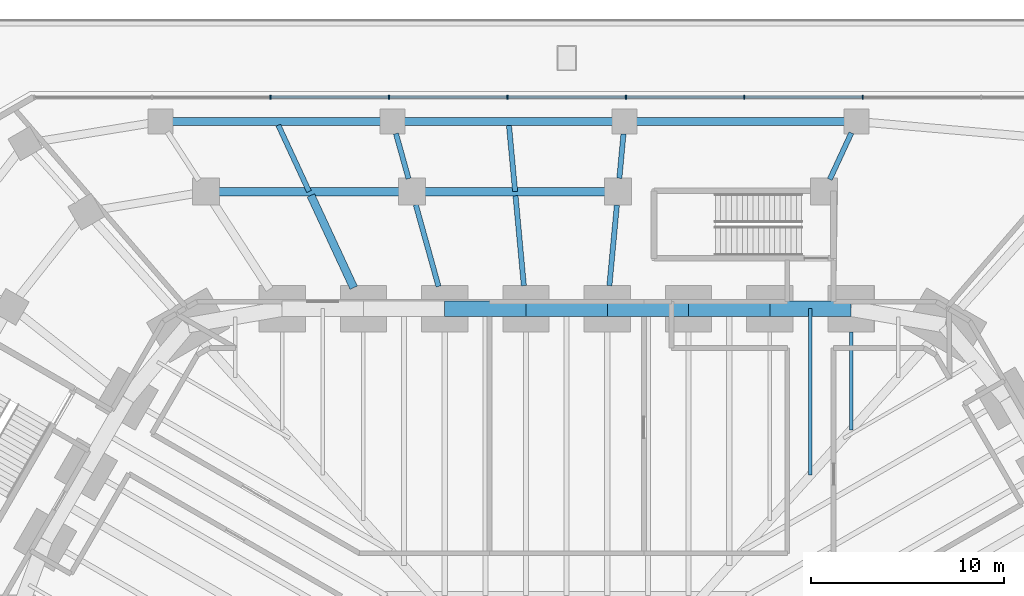
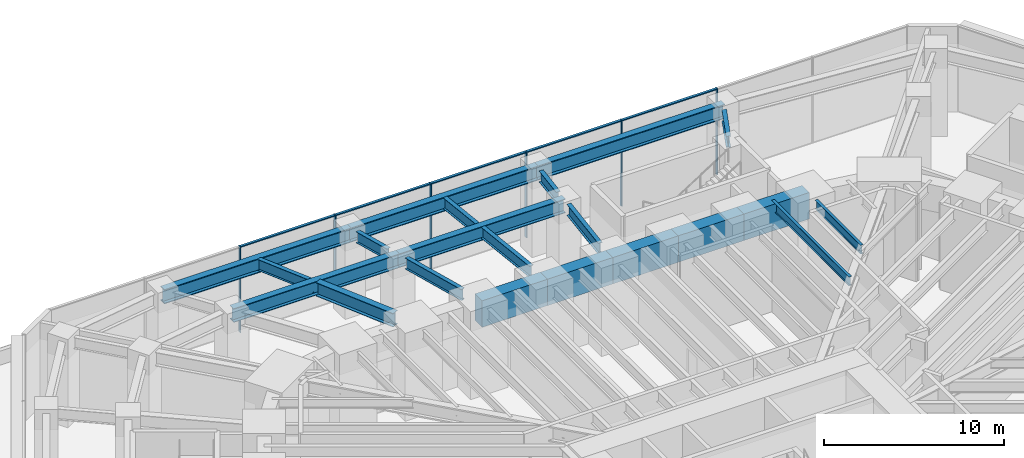
# One storey, part 11 of 25: 21 beams, 11 members, 1 element without a shape of its own.
"""IFC4 building model written with IfcOpenShell, lengths in metres."""

from ifc_helpers import new_model, si_unit, direction, frame, origin, origin_2d, place, context, subcontext, project, spatial, rectangle, i_section, extrude, material, material_profile, profile_set, type_object, element, aggregate, save


model = new_model("IFC4")

# Units and contexts
model_context = context("Model", 3, precision=1e-05, world=origin(), true_north=direction((0.0, 1.0)))
body_context = subcontext(model_context, "Body", "Model", "MODEL_VIEW")
ifc_project = project(units=[si_unit("LENGTHUNIT", "METRE"), si_unit("AREAUNIT", "SQUARE_METRE"), si_unit("VOLUMEUNIT", "CUBIC_METRE"), si_unit("PLANEANGLEUNIT", "RADIAN"), si_unit("MASSUNIT", "GRAM", prefix="KILO")], contexts=[model_context])

# Site, building, storey
site_placement = place(None, origin())
site = spatial("IfcSite", under=ifc_project, at=site_placement, CompositionType="ELEMENT")
building_placement = place(site_placement, origin())
building = spatial("IfcBuilding", under=site, at=building_placement, Name="Sandreach Pilgrim Tower", CompositionType="ELEMENT")
storey_placement = place(building_placement, frame((0.0, 0.0, 6.0)))
storey = spatial("IfcBuildingStorey", under=building, at=storey_placement, Name="L01", CompositionType="ELEMENT", Elevation=6.0)

# Curtain wall, members
ifc_material_1 = material(Name="Aluminium framed curtain wall", Category="aluminium")
curtain_wall_type = type_object("IfcCurtainWallType", Name="Podium storefront curtain wall", PredefinedType="NOTDEFINED", material=ifc_material_1)
curtain_wall_placement = place(storey_placement, origin())
curtain_wall = element("IfcCurtainWall", 1, at=curtain_wall_placement, inside=storey, type_object=curtain_wall_type, Name="CW-P L01 N", PredefinedType="NOTDEFINED")
ifc_material_2 = material(Name="Aluminium extrusion", Category="aluminium")
ifc_material_profile_1 = material_profile(ifc_material_2, rectangle(XDim=0.070068359375, YDim=0.199951171875, at=origin_2d()), Name="CW-PM 70X200")
ifc_profile_set_1 = profile_set([ifc_material_profile_1], Name="Aluminium extrusion")
member_type_1 = type_object("IfcMemberType", Name="CW-P mullion", PredefinedType="MULLION", material=ifc_profile_set_1)
member_1_placement = place(storey_placement, frame((-15.339111328125, 33.648193359375, 0.0), z_axis=(0.0, 0.0, 1.0), x_axis=(1.0, 0.0, 0.0)))
member_1 = element("IfcMember", 2, at=member_1_placement, type_object=member_type_1, Name="CW-P mullion 3", PredefinedType="MULLION", context=body_context, shape_type="SweptSolid", body=[
    extrude(rectangle(XDim=0.070068359375, YDim=0.199951171875, at=origin_2d()), origin(), (0.0, 0.0, 1.0), 5.840087890625),
])
member_2_placement = place(storey_placement, frame((-9.203369140625, 33.648193359375, 0.0), z_axis=(0.0, 0.0, 1.0), x_axis=(1.0, 0.0, 0.0)))
member_2 = element("IfcMember", 3, at=member_2_placement, type_object=member_type_1, Name="CW-P mullion 4", PredefinedType="MULLION", context=body_context, shape_type="SweptSolid", body=[
    extrude(rectangle(XDim=0.070068359375, YDim=0.199951171875, at=origin_2d()), origin(), (0.0, 0.0, 1.0), 5.840087890625),
])
member_3_placement = place(storey_placement, frame((-3.06787109375, 33.648193359375, 0.0), z_axis=(0.0, 0.0, 1.0), x_axis=(1.0, 0.0, 0.0)))
member_3 = element("IfcMember", 4, at=member_3_placement, type_object=member_type_1, Name="CW-P mullion 5", PredefinedType="MULLION", context=body_context, shape_type="SweptSolid", body=[
    extrude(rectangle(XDim=0.070068359375, YDim=0.199951171875, at=origin_2d()), origin(), (0.0, 0.0, 1.0), 5.840087890625),
])
member_4_placement = place(storey_placement, frame((3.06787109375, 33.648193359375, 0.0), z_axis=(0.0, 0.0, 1.0), x_axis=(1.0, 0.0, 0.0)))
member_4 = element("IfcMember", 5, at=member_4_placement, type_object=member_type_1, Name="CW-P mullion 6", PredefinedType="MULLION", context=body_context, shape_type="SweptSolid", body=[
    extrude(rectangle(XDim=0.070068359375, YDim=0.199951171875, at=origin_2d()), origin(), (0.0, 0.0, 1.0), 5.840087890625),
])
member_5_placement = place(storey_placement, frame((9.203369140625, 33.648193359375, 0.0), z_axis=(0.0, 0.0, 1.0), x_axis=(1.0, 0.0, 0.0)))
member_5 = element("IfcMember", 6, at=member_5_placement, type_object=member_type_1, Name="CW-P mullion 7", PredefinedType="MULLION", context=body_context, shape_type="SweptSolid", body=[
    extrude(rectangle(XDim=0.070068359375, YDim=0.199951171875, at=origin_2d()), origin(), (0.0, 0.0, 1.0), 5.840087890625),
])
member_6_placement = place(storey_placement, frame((15.339111328125, 33.648193359375, 0.0), z_axis=(0.0, 0.0, 1.0), x_axis=(1.0, 0.0, 0.0)))
member_6 = element("IfcMember", 7, at=member_6_placement, type_object=member_type_1, Name="CW-P mullion 8", PredefinedType="MULLION", context=body_context, shape_type="SweptSolid", body=[
    extrude(rectangle(XDim=0.070068359375, YDim=0.199951171875, at=origin_2d()), origin(), (0.0, 0.0, 1.0), 5.840087890625),
])
ifc_material_3 = material(Name="Aluminium extrusion", Category="aluminium")
ifc_material_profile_2 = material_profile(ifc_material_3, rectangle(XDim=0.159912109375, YDim=0.070068359375, at=origin_2d()), Name="CW-PT 160X70")
ifc_profile_set_2 = profile_set([ifc_material_profile_2], Name="Aluminium extrusion")
member_type_2 = type_object("IfcMemberType", Name="CW-P transom", PredefinedType="USERDEFINED", material=ifc_profile_set_2)
member_7_placement = place(storey_placement, frame((-15.303955078125, 33.648193359375, 5.804931640625), z_axis=(1.0, 0.0, 0.0), x_axis=(0.0, 1.0, 0.0)))
member_7 = element("IfcMember", 8, at=member_7_placement, type_object=member_type_2, Name="CW-P head transom 3", ObjectType="TRANSOM", PredefinedType="USERDEFINED", context=body_context, shape_type="SweptSolid", body=[
    extrude(rectangle(XDim=0.159912109375, YDim=0.070068359375, at=origin_2d()), origin(), (0.0, 0.0, 1.0), 6.0654296875),
])
member_8_placement = place(storey_placement, frame((-9.16845703125, 33.648193359375, 5.804931640625), z_axis=(1.0, 0.0, 0.0), x_axis=(0.0, 1.0, 0.0)))
member_8 = element("IfcMember", 9, at=member_8_placement, type_object=member_type_2, Name="CW-P head transom 4", ObjectType="TRANSOM", PredefinedType="USERDEFINED", context=body_context, shape_type="SweptSolid", body=[
    extrude(rectangle(XDim=0.159912109375, YDim=0.070068359375, at=origin_2d()), origin(), (0.0, 0.0, 1.0), 6.065673828125),
])
member_9_placement = place(storey_placement, frame((-3.03271484375, 33.648193359375, 5.804931640625), z_axis=(1.0, 0.0, 0.0), x_axis=(0.0, 1.0, 0.0)))
member_9 = element("IfcMember", 10, at=member_9_placement, type_object=member_type_2, Name="CW-P head transom 5", ObjectType="TRANSOM", PredefinedType="USERDEFINED", context=body_context, shape_type="SweptSolid", body=[
    extrude(rectangle(XDim=0.159912109375, YDim=0.070068359375, at=origin_2d()), origin(), (0.0, 0.0, 1.0), 6.0654296875),
])
member_10_placement = place(storey_placement, frame((3.102783203125, 33.648193359375, 5.804931640625), z_axis=(1.0, 0.0, 0.0), x_axis=(0.0, 1.0, 0.0)))
member_10 = element("IfcMember", 11, at=member_10_placement, type_object=member_type_2, Name="CW-P head transom 6", ObjectType="TRANSOM", PredefinedType="USERDEFINED", context=body_context, shape_type="SweptSolid", body=[
    extrude(rectangle(XDim=0.159912109375, YDim=0.070068359375, at=origin_2d()), origin(), (0.0, 0.0, 1.0), 6.065673828125),
])
member_11_placement = place(storey_placement, frame((9.238525390625, 33.648193359375, 5.804931640625), z_axis=(1.0, 0.0, 0.0), x_axis=(0.0, 1.0, 0.0)))
member_11 = element("IfcMember", 12, at=member_11_placement, type_object=member_type_2, Name="CW-P head transom 7", ObjectType="TRANSOM", PredefinedType="USERDEFINED", context=body_context, shape_type="SweptSolid", body=[
    extrude(rectangle(XDim=0.159912109375, YDim=0.070068359375, at=origin_2d()), origin(), (0.0, 0.0, 1.0), 6.0654296875),
])
aggregate(curtain_wall, [member_1, member_2, member_3, member_4, member_5, member_6, member_7, member_8, member_9, member_10, member_11])

# Beams
ifc_material_4 = material(Name="Steel ASTM A992 Grade 50", Category="steel")
ifc_material_profile_3 = material_profile(ifc_material_4, i_section(OverallWidth=0.1787109375, OverallDepth=0.60205078125, WebThickness=0.010986328125, FlangeThickness=0.014892578125, at=origin_2d()), Name="W24X62")
ifc_profile_set_3 = profile_set([ifc_material_profile_3], Name="Steel ASTM A992 Grade 50")
beam_type_1 = type_object("IfcBeamType", Name="Floor beam W24X62", PredefinedType="BEAM", material=ifc_profile_set_3)
beam_1_placement = place(storey_placement, frame((14.734619140625, 21.48876953125, 5.5390625), z_axis=(0.0, -1.0, 0.0), x_axis=(1.0, 0.0, 0.0)))
element("IfcBeam", 13, at=beam_1_placement, inside=storey, type_object=beam_type_1, Name="BM L01 F08", PredefinedType="BEAM", context=body_context, shape_type="SweptSolid", body=[
    extrude(i_section(OverallWidth=0.1787109375, OverallDepth=0.60205078125, WebThickness=0.010986328125, FlangeThickness=0.014892578125, at=origin_2d()), origin(), (0.0, 0.0, 1.0), 5.079345703125),
])
beam_2_placement = place(storey_placement, frame((12.629638671875, 22.688720703125, 5.5390625), z_axis=(0.0, -1.0, 0.0), x_axis=(1.0, 0.0, 0.0)))
element("IfcBeam", 14, at=beam_2_placement, inside=storey, type_object=beam_type_1, Name="BM L01 FM07", PredefinedType="BEAM", context=body_context, shape_type="SweptSolid", body=[
    extrude(i_section(OverallWidth=0.1787109375, OverallDepth=0.60205078125, WebThickness=0.010986328125, FlangeThickness=0.014892578125, at=origin_2d()), origin(), (0.0, 0.0, 1.0), 8.62353515625),
])
ifc_material_5 = material(Name="Steel ASTM A992 Grade 50", Category="steel")
ifc_material_profile_4 = material_profile(ifc_material_5, i_section(OverallWidth=0.2666015625, OverallDepth=0.7568359375, WebThickness=0.013916015625, FlangeThickness=0.019287109375, at=origin_2d()), Name="W30X108")
ifc_profile_set_4 = profile_set([ifc_material_profile_4], Name="Steel ASTM A992 Grade 50")
beam_type_2 = type_object("IfcBeamType", Name="Podium beam W30X108", PredefinedType="BEAM", material=ifc_profile_set_4)
beam_3_placement = place(storey_placement, frame((-6.63671875, 23.8447265625, 5.46142578125), z_axis=(-0.268122559607, 0.963384810462, 0.0), x_axis=(-0.963384810462, -0.268122559607, 0.0)))
element("IfcBeam", 15, at=beam_3_placement, inside=storey, type_object=beam_type_2, Name="BM L01 PR125-03", PredefinedType="BEAM", context=body_context, shape_type="SweptSolid", body=[
    extrude(i_section(OverallWidth=0.2666015625, OverallDepth=0.7568359375, WebThickness=0.013916015625, FlangeThickness=0.019287109375, at=origin_2d()), origin(), (0.0, 0.0, 1.0), 4.392578125),
])
beam_4_placement = place(storey_placement, frame((-2.2158203125, 23.883544921875, 5.46142578125), z_axis=(-0.092357338774, 0.995725927138, 0.0), x_axis=(-0.995725927138, -0.092357338774, 0.0)))
element("IfcBeam", 16, at=beam_4_placement, inside=storey, type_object=beam_type_2, Name="BM L01 PR125-04", PredefinedType="BEAM", context=body_context, shape_type="SweptSolid", body=[
    extrude(i_section(OverallWidth=0.2666015625, OverallDepth=0.7568359375, WebThickness=0.013916015625, FlangeThickness=0.019287109375, at=origin_2d()), origin(), (0.0, 0.0, 1.0), 4.67626953125),
])
beam_5_placement = place(storey_placement, frame((2.2158203125, 23.883544921875, 5.46142578125), z_axis=(0.092390859708, 0.995722817376, 0.0), x_axis=(-0.995722817376, 0.092390859708, 0.0)))
element("IfcBeam", 17, at=beam_5_placement, inside=storey, type_object=beam_type_2, Name="BM L01 PR125-05", PredefinedType="BEAM", context=body_context, shape_type="SweptSolid", body=[
    extrude(i_section(OverallWidth=0.2666015625, OverallDepth=0.7568359375, WebThickness=0.013916015625, FlangeThickness=0.019287109375, at=origin_2d()), origin(), (0.0, 0.0, 1.0), 4.188232421875),
])
beam_6_placement = place(storey_placement, frame((-13.342041015625, 28.76171875, 5.37158203125), z_axis=(-0.42077576544, 0.907164679217, 0.0), x_axis=(-0.907164679217, -0.42077576544, 0.0)))
element("IfcBeam", 18, at=beam_6_placement, inside=storey, type_object=beam_type_2, Name="BM L01 PR140-02", PredefinedType="BEAM", context=body_context, shape_type="SweptSolid", body=[
    extrude(i_section(OverallWidth=0.2666015625, OverallDepth=0.7568359375, WebThickness=0.013916015625, FlangeThickness=0.019287109375, at=origin_2d()), origin(), (0.0, 0.0, 1.0), 3.7841796875),
])
beam_7_placement = place(storey_placement, frame((-8.18994140625, 29.42529296875, 5.37158203125), z_axis=(-0.268147395291, 0.963377898023, 0.0), x_axis=(-0.963377898023, -0.268147395291, 0.0)))
element("IfcBeam", 19, at=beam_7_placement, inside=storey, type_object=beam_type_2, Name="BM L01 PR140-03", PredefinedType="BEAM", context=body_context, shape_type="SweptSolid", body=[
    extrude(i_section(OverallWidth=0.2666015625, OverallDepth=0.7568359375, WebThickness=0.013916015625, FlangeThickness=0.019287109375, at=origin_2d()), origin(), (0.0, 0.0, 1.0), 2.425537109375),
])
beam_8_placement = place(storey_placement, frame((-2.66845703125, 28.762939453125, 5.37158203125), z_axis=(-0.09238523294, 0.995723339455, 0.0), x_axis=(-0.995723339455, -0.09238523294, 0.0)))
element("IfcBeam", 20, at=beam_8_placement, inside=storey, type_object=beam_type_2, Name="BM L01 PR140-04", PredefinedType="BEAM", context=body_context, shape_type="SweptSolid", body=[
    extrude(i_section(OverallWidth=0.2666015625, OverallDepth=0.7568359375, WebThickness=0.013916015625, FlangeThickness=0.019287109375, at=origin_2d()), origin(), (0.0, 0.0, 1.0), 3.427490234375),
])
beam_9_placement = place(storey_placement, frame((2.73193359375, 29.447998046875, 5.37158203125), z_axis=(0.092447372534, 0.995717572061, 0.0), x_axis=(-0.995717572061, 0.092447372534, 0.0)))
element("IfcBeam", 21, at=beam_9_placement, inside=storey, type_object=beam_type_2, Name="BM L01 PR140-05", PredefinedType="BEAM", context=body_context, shape_type="SweptSolid", body=[
    extrude(i_section(OverallWidth=0.2666015625, OverallDepth=0.7568359375, WebThickness=0.013916015625, FlangeThickness=0.019287109375, at=origin_2d()), origin(), (0.0, 0.0, 1.0), 2.302734375),
])
beam_10_placement = place(storey_placement, frame((13.631591796875, 29.385986328125, 5.37158203125), z_axis=(0.420803810637, 0.907151670314, 0.0), x_axis=(-0.907151670314, 0.420803810637, 0.0)))
element("IfcBeam", 22, at=beam_10_placement, inside=storey, type_object=beam_type_2, Name="BM L01 PR140-07", PredefinedType="BEAM", context=body_context, shape_type="SweptSolid", body=[
    extrude(i_section(OverallWidth=0.2666015625, OverallDepth=0.7568359375, WebThickness=0.013916015625, FlangeThickness=0.019287109375, at=origin_2d()), origin(), (0.0, 0.0, 1.0), 2.659423828125),
])
ifc_material_6 = material(Name="Steel ASTM A992 Grade 50", Category="steel")
ifc_material_profile_5 = material_profile(ifc_material_6, i_section(OverallWidth=0.419189453125, OverallDepth=0.927001953125, WebThickness=0.019287109375, FlangeThickness=0.031982421875, at=origin_2d()), Name="W36X231")
ifc_profile_set_5 = profile_set([ifc_material_profile_5], Name="Steel ASTM A992 Grade 50")
beam_type_3 = type_object("IfcBeamType", Name="Podium beam W36X231", PredefinedType="BEAM", material=ifc_profile_set_5)
beam_11_placement = place(storey_placement, frame((-11.02978515625, 23.77734375, 5.37646484375), z_axis=(-0.420784646846, 0.907160559647, 0.0), x_axis=(-0.907160559647, -0.420784646846, 0.0)))
element("IfcBeam", 23, at=beam_11_placement, inside=storey, type_object=beam_type_3, Name="BM L01 PR125-02", PredefinedType="BEAM", context=body_context, shape_type="SweptSolid", body=[
    extrude(i_section(OverallWidth=0.419189453125, OverallDepth=0.927001953125, WebThickness=0.019287109375, FlangeThickness=0.031982421875, at=origin_2d()), origin(), (0.0, 0.0, 1.0), 5.2705078125),
])
ifc_material_7 = material(Name="Steel ASTM A992 Grade 50", Category="steel")
ifc_material_profile_6 = material_profile(ifc_material_7, i_section(OverallWidth=0.424072265625, OverallDepth=0.947509765625, WebThickness=0.02392578125, FlangeThickness=0.042724609375, at=origin_2d()), Name="W36X302")
ifc_profile_set_6 = profile_set([ifc_material_profile_6], Name="Steel ASTM A992 Grade 50")
beam_type_4 = type_object("IfcBeamType", Name="Podium edge beam W36X302", PredefinedType="BEAM", material=ifc_profile_set_6)
beam_12_placement = place(storey_placement, frame((-18.671630859375, 28.7509765625, 5.3662109375), z_axis=(1.0, 0.0, 0.0), x_axis=(0.0, 1.0, 0.0)))
element("IfcBeam", 24, at=beam_12_placement, inside=storey, type_object=beam_type_4, Name="BM L01 PE125-01", PredefinedType="BEAM", context=body_context, shape_type="SweptSolid", body=[
    extrude(i_section(OverallWidth=0.424072265625, OverallDepth=0.947509765625, WebThickness=0.02392578125, FlangeThickness=0.042724609375, at=origin_2d()), origin(), (0.0, 0.0, 1.0), 10.66943359375),
])
beam_13_placement = place(storey_placement, frame((-8.002197265625, 28.7509765625, 5.3662109375), z_axis=(1.0, 0.0, 0.0), x_axis=(0.0, 1.0, 0.0)))
element("IfcBeam", 25, at=beam_13_placement, inside=storey, type_object=beam_type_4, Name="BM L01 PE125-03", PredefinedType="BEAM", context=body_context, shape_type="SweptSolid", body=[
    extrude(i_section(OverallWidth=0.424072265625, OverallDepth=0.947509765625, WebThickness=0.02392578125, FlangeThickness=0.042724609375, at=origin_2d()), origin(), (0.0, 0.0, 1.0), 10.669677734375),
])
ifc_material_8 = material(Name="Steel ASTM A992 Grade 50", Category="steel")
ifc_material_profile_7 = material_profile(ifc_material_8, i_section(OverallWidth=0.4267578125, OverallDepth=0.975341796875, WebThickness=0.031005859375, FlangeThickness=0.055908203125, at=origin_2d()), Name="W36X395")
ifc_profile_set_7 = profile_set([ifc_material_profile_7], Name="Steel ASTM A992 Grade 50")
beam_type_5 = type_object("IfcBeamType", Name="Podium edge beam W36X395", PredefinedType="BEAM", material=ifc_profile_set_7)
beam_14_placement = place(storey_placement, frame((-21.033935546875, 32.38818359375, 5.26220703125), z_axis=(1.0, 0.0, 0.0), x_axis=(0.0, 1.0, 0.0)))
element("IfcBeam", 26, at=beam_14_placement, inside=storey, type_object=beam_type_5, Name="BM L01 PE140-01", PredefinedType="BEAM", context=body_context, shape_type="SweptSolid", body=[
    extrude(i_section(OverallWidth=0.4267578125, OverallDepth=0.975341796875, WebThickness=0.031005859375, FlangeThickness=0.055908203125, at=origin_2d()), origin(), (0.0, 0.0, 1.0), 12.01953125),
])
for number, where, z_axis, x_axis, name in (
    (27, (-9.014404296875, 32.38818359375, 5.26220703125), (1.0, 0.0, 0.0), (0.0, 1.0, 0.0), "BM L01 PE140-03"),
    (28, (3.0048828125, 32.38818359375, 5.26220703125), (1.0, 0.0, 0.0), (0.0, 1.0, 0.0), "BM L01 PE140-05"),
):
    element("IfcBeam", number, at=place(storey_placement, frame(where, z_axis=z_axis, x_axis=x_axis)), inside=storey, type_object=beam_type_5, Name=name, PredefinedType="BEAM", context=body_context, shape_type="SweptSolid", body=[
        extrude(i_section(OverallWidth=0.4267578125, OverallDepth=0.975341796875, WebThickness=0.031005859375, FlangeThickness=0.055908203125, at=origin_2d()), origin(), (0.0, 0.0, 1.0), 12.019287109375),
    ])
ifc_material_9 = material(Name="Concrete 10000 psi", Category="concrete")
ifc_material_profile_8 = material_profile(ifc_material_9, rectangle(XDim=0.800048828125, YDim=1.800048828125, at=origin_2d()), Name="RC800X1800")
ifc_profile_set_8 = profile_set([ifc_material_profile_8], Name="Concrete 10000 psi")
beam_type_6 = type_object("IfcBeamType", Name="Spandrel beam RC800X1800", PredefinedType="SPANDREL", material=ifc_profile_set_8)
for number, where, z_axis, x_axis, name in (
    (29, (-6.31494140625, 22.688720703125, 4.93994140625), (1.0, 0.0, 0.0), (0.0, 1.0, 0.0), "BM L01 SP03"),
    (30, (-2.10498046875, 22.688720703125, 4.93994140625), (1.0, 0.0, 0.0), (0.0, 1.0, 0.0), "BM L01 SP04"),
    (31, (2.10498046875, 22.688720703125, 4.93994140625), (1.0, 0.0, 0.0), (0.0, 1.0, 0.0), "BM L01 SP05"),
    (32, (6.31494140625, 22.688720703125, 4.93994140625), (1.0, 0.0, 0.0), (0.0, 1.0, 0.0), "BM L01 SP06"),
):
    element("IfcBeam", number, at=place(storey_placement, frame(where, z_axis=z_axis, x_axis=x_axis)), inside=storey, type_object=beam_type_6, Name=name, PredefinedType="SPANDREL", context=body_context, shape_type="SweptSolid", body=[
        extrude(rectangle(XDim=0.800048828125, YDim=1.800048828125, at=origin_2d()), origin(), (0.0, 0.0, 1.0), 4.2099609375),
    ])
beam_15_placement = place(storey_placement, frame((10.52490234375, 22.688720703125, 4.93994140625), z_axis=(1.0, 0.0, 0.0), x_axis=(0.0, 1.0, 0.0)))
element("IfcBeam", 33, at=beam_15_placement, inside=storey, type_object=beam_type_6, Name="BM L01 SP07", PredefinedType="SPANDREL", context=body_context, shape_type="SweptSolid", body=[
    extrude(rectangle(XDim=0.800048828125, YDim=1.800048828125, at=origin_2d()), origin(), (0.0, 0.0, 1.0), 4.209716796875),
])

save(model, "model.ifc")
